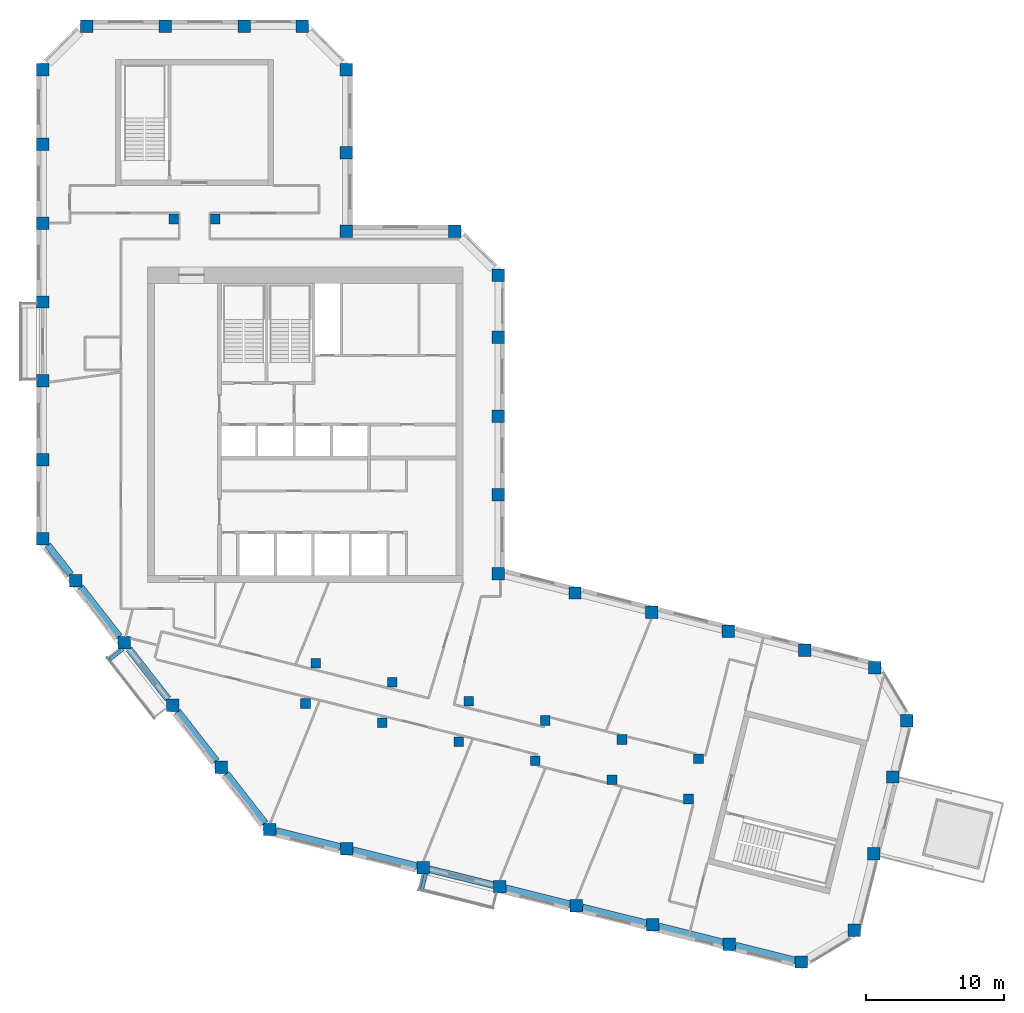
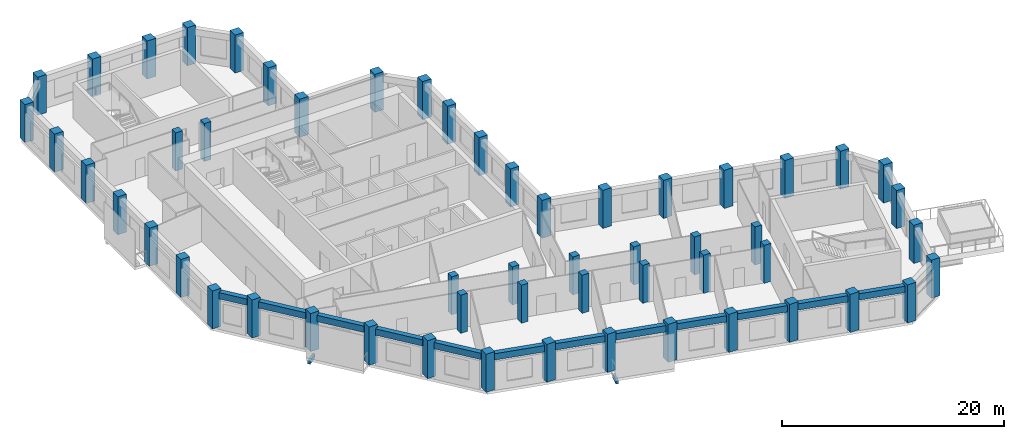
# One storey, part 1 of 13: 55 columns, 14 beams.
"""IFC4 building model written with IfcOpenShell, lengths in metres."""

from ifc_helpers import new_model, si_unit, direction, frame, origin, origin_2d, place, context, subcontext, project, spatial, rectangle, extrude, material, material_profile, profile_set, type_object, element, save


model = new_model("IFC4")

# Units and contexts
model_context = context("Model", 3, precision=1e-05, world=origin(), true_north=direction((0.0, 1.0)))
body_context = subcontext(model_context, "Body", "Model", "MODEL_VIEW")
ifc_project = project(units=[si_unit("LENGTHUNIT", "METRE"), si_unit("AREAUNIT", "SQUARE_METRE"), si_unit("VOLUMEUNIT", "CUBIC_METRE"), si_unit("PLANEANGLEUNIT", "RADIAN"), si_unit("MASSUNIT", "GRAM", prefix="KILO")], contexts=[model_context])

# Site, building, storey
site_placement = place(None, origin())
site = spatial("IfcSite", under=ifc_project, at=site_placement, CompositionType="ELEMENT")
building_placement = place(site_placement, origin())
building = spatial("IfcBuilding", under=site, at=building_placement, Name="Meshkara Civic Tower", CompositionType="ELEMENT")
storey_placement = place(building_placement, frame((0.0, 0.0, 383.39990234375)))
storey = spatial("IfcBuildingStorey", under=building, at=storey_placement, Name="L88", CompositionType="ELEMENT", Elevation=383.39990234375)

# Columns
ifc_material_1 = material(Name="Concrete C50", Category="concrete")
ifc_material_profile_1 = material_profile(ifc_material_1, rectangle(XDim=0.699951171875, YDim=0.699951171875, at=origin_2d()))
ifc_profile_set_1 = profile_set([ifc_material_profile_1], Name="Concrete C50")
column_type_1 = type_object("IfcColumnType", Name="Interior column RC 700x700 C50", PredefinedType="COLUMN", material=ifc_profile_set_1)
for number, where, z_axis, x_axis, name in (
    (1, (9.89990234375, 40.35009765625, 0.0), (0.0, 0.0, 1.0), (1.0, 0.0, 0.0), "Column SA1-04 L88"),
    (2, (12.89990234375, 40.35009765625, 0.0), (0.0, 0.0, 1.0), (1.0, 0.0, 0.0), "Column SA2-04 L88"),
    (3, (19.424072265625, 5.360107421875, 0.0), (0.0, 0.0, 1.0), (1.0, 0.0, 0.0), "Column SB1-00 L88"),
    (4, (24.9541015625, 3.98095703125, 0.0), (0.0, 0.0, 1.0), (1.0, 0.0, 0.0), "Column SB1-01 L88"),
    (5, (30.485107421875, 2.60205078125, 0.0), (0.0, 0.0, 1.0), (1.0, 0.0, 0.0), "Column SB1-02 L88"),
    (6, (36.01611328125, 1.222900390625, 0.0), (0.0, 0.0, 1.0), (1.0, 0.0, 0.0), "Column SB1-03 L88"),
    (7, (41.5458984375, -0.156005859375, 0.0), (0.0, 0.0, 1.0), (1.0, 0.0, 0.0), "Column SB1-04 L88"),
    (8, (47.076904296875, -1.534912109375, 0.0), (0.0, 0.0, 1.0), (1.0, 0.0, 0.0), "Column SB1-05 L88"),
    (9, (20.14892578125, 8.27099609375, 0.0), (0.0, 0.0, 1.0), (1.0, 0.0, 0.0), "Column SB2-00 L88"),
    (10, (25.679931640625, 6.89208984375, 0.0), (0.0, 0.0, 1.0), (1.0, 0.0, 0.0), "Column SB2-01 L88"),
    (11, (31.2109375, 5.512939453125, 0.0), (0.0, 0.0, 1.0), (1.0, 0.0, 0.0), "Column SB2-02 L88"),
    (12, (36.741943359375, 4.134033203125, 0.0), (0.0, 0.0, 1.0), (1.0, 0.0, 0.0), "Column SB2-03 L88"),
    (13, (42.27197265625, 2.7548828125, 0.0), (0.0, 0.0, 1.0), (1.0, 0.0, 0.0), "Column SB2-04 L88"),
    (14, (47.802978515625, 1.3759765625, 0.0), (0.0, 0.0, 1.0), (1.0, 0.0, 0.0), "Column SB2-05 L88"),
):
    element("IfcColumn", number, at=place(storey_placement, frame(where, z_axis=z_axis, x_axis=x_axis)), inside=storey, type_object=column_type_1, Name=name, PredefinedType="COLUMN", context=body_context, shape_type="SweptSolid", body=[
        extrude(rectangle(XDim=0.699951171875, YDim=0.699951171875, at=origin_2d()), origin(), (0.0, 0.0, 1.0), 4.2001953125),
    ])
ifc_material_2 = material(Name="Concrete C50", Category="concrete")
ifc_material_profile_2 = material_profile(ifc_material_2, rectangle(XDim=0.89990234375, YDim=0.89990234375, at=origin_2d()))
ifc_profile_set_2 = profile_set([ifc_material_profile_2], Name="Concrete C50")
column_type_2 = type_object("IfcColumnType", Name="Perimeter column RC 900x900 C50", PredefinedType="COLUMN", material=ifc_profile_set_2)
for number, where, z_axis, x_axis, name in (
    (15, (33.35009765625, 14.718994140625, 0.0), (0.0, 0.0, 1.0), (1.0, 0.0, 0.0), "Column HE00 L88"),
    (16, (33.35009765625, 20.4189453125, 0.0), (0.0, 0.0, 1.0), (1.0, 0.0, 0.0), "Column HE01 L88"),
    (17, (33.35009765625, 26.118896484375, 0.0), (0.0, 0.0, 1.0), (1.0, 0.0, 0.0), "Column HE02 L88"),
    (18, (33.35009765625, 31.819091796875, 0.0), (0.0, 0.0, 1.0), (1.0, 0.0, 0.0), "Column HE03 L88"),
    (19, (33.35009765625, 36.2939453125, 0.0), (0.0, 0.0, 1.0), (1.0, 0.0, 0.0), "Column HEE L88"),
    (20, (30.194091796875, 39.449951171875, 0.0), (0.0, 0.0, 1.0), (1.0, 0.0, 0.0), "Column HCeE L88"),
    (21, (22.35009765625, 39.449951171875, 0.0), (0.0, 0.0, 1.0), (1.0, 0.0, 0.0), "Column HN00 L88"),
    (22, (22.35009765625, 45.14990234375, 0.0), (0.0, 0.0, 1.0), (1.0, 0.0, 0.0), "Column AE01 L88"),
    (23, (22.35009765625, 51.114013671875, 0.0), (0.0, 0.0, 1.0), (1.0, 0.0, 0.0), "Column AEEP5 L88"),
    (24, (19.194091796875, 54.27001953125, 0.0), (0.0, 0.0, 1.0), (1.0, 0.0, 0.0), "Column ATiEP5 L88"),
    (25, (3.60595703125, 54.27001953125, 0.0), (0.0, 0.0, 1.0), (1.0, 0.0, 0.0), "Column AT00-P5 L88"),
    (26, (9.305908203125, 54.27001953125, 0.0), (0.0, 0.0, 1.0), (1.0, 0.0, 0.0), "Column AT01-P5 L88"),
    (27, (15.006103515625, 54.27001953125, 0.0), (0.0, 0.0, 1.0), (1.0, 0.0, 0.0), "Column AT02-P5 L88"),
    (28, (0.449951171875, 51.114013671875, 0.0), (0.0, 0.0, 1.0), (1.0, 0.0, 0.0), "Column ATo00-P5 L88"),
    (29, (0.449951171875, 17.2548828125, 0.0), (0.0, 0.0, 1.0), (1.0, 0.0, 0.0), "Column AW00 L88"),
    (30, (0.449951171875, 22.955078125, 0.0), (0.0, 0.0, 1.0), (1.0, 0.0, 0.0), "Column AW01 L88"),
    (31, (0.449951171875, 28.655029296875, 0.0), (0.0, 0.0, 1.0), (1.0, 0.0, 0.0), "Column AW02 L88"),
    (32, (0.449951171875, 34.35498046875, 0.0), (0.0, 0.0, 1.0), (1.0, 0.0, 0.0), "Column AW03 L88"),
    (33, (0.449951171875, 40.054931640625, 0.0), (0.0, 0.0, 1.0), (1.0, 0.0, 0.0), "Column AW04 L88"),
    (34, (0.449951171875, 45.7548828125, 0.0), (0.0, 0.0, 1.0), (1.0, 0.0, 0.0), "Column AW05 L88"),
    (35, (16.85107421875, -3.738037109375, 0.0), (0.0, 0.0, 1.0), (1.0, 0.0, 0.0), "Column BOW00 L88"),
    (36, (13.342041015625, 0.75390625, 0.0), (0.0, 0.0, 1.0), (1.0, 0.0, 0.0), "Column BOW01 L88"),
    (37, (9.8330078125, 5.2451171875, 0.0), (0.0, 0.0, 1.0), (1.0, 0.0, 0.0), "Column BOW02 L88"),
    (38, (6.322998046875, 9.737060546875, 0.0), (0.0, 0.0, 1.0), (1.0, 0.0, 0.0), "Column BOW03 L88"),
    (39, (2.81396484375, 14.22900390625, 0.0), (0.0, 0.0, 1.0), (1.0, 0.0, 0.0), "Column BOW04 L88"),
    (40, (22.382080078125, -5.116943359375, 0.0), (0.0, 0.0, 1.0), (1.0, 0.0, 0.0), "Column BS01 L88"),
    (41, (27.912109375, -6.49609375, 0.0), (0.0, 0.0, 1.0), (1.0, 0.0, 0.0), "Column BS02 L88"),
    (42, (33.443115234375, -7.875, 0.0), (0.0, 0.0, 1.0), (1.0, 0.0, 0.0), "Column BS03 L88"),
    (43, (38.97412109375, -9.25390625, 0.0), (0.0, 0.0, 1.0), (1.0, 0.0, 0.0), "Column BS04 L88"),
    (44, (44.50390625, -10.633056640625, 0.0), (0.0, 0.0, 1.0), (1.0, 0.0, 0.0), "Column BS05-P4 L88"),
    (45, (50.034912109375, -12.011962890625, 0.0), (0.0, 0.0, 1.0), (1.0, 0.0, 0.0), "Column BS06-P4 L88"),
    (46, (55.235107421875, -13.30810546875, 0.0), (0.0, 0.0, 1.0), (1.0, 0.0, 0.0), "Column BSEP5 L88"),
    (47, (59.06103515625, -11.009033203125, 0.0), (0.0, 0.0, 1.0), (1.0, 0.0, 0.0), "Column BToEP5 L88"),
    (48, (60.43994140625, -5.47802734375, 0.0), (0.0, 0.0, 1.0), (1.0, 0.0, 0.0), "Column BT01-P5 L88"),
    (49, (61.819091796875, 0.052001953125, 0.0), (0.0, 0.0, 1.0), (1.0, 0.0, 0.0), "Column BT02-P5 L88"),
    (50, (62.83203125, 4.114990234375, 0.0), (0.0, 0.0, 1.0), (1.0, 0.0, 0.0), "Column BTEP5 L88"),
    (51, (60.532958984375, 7.94091796875, 0.0), (0.0, 0.0, 1.0), (1.0, 0.0, 0.0), "Column BTi00-P5 L88"),
    (52, (38.881103515625, 13.340087890625, 0.0), (0.0, 0.0, 1.0), (1.0, 0.0, 0.0), "Column BN01 L88"),
    (53, (44.410888671875, 11.9609375, 0.0), (0.0, 0.0, 1.0), (1.0, 0.0, 0.0), "Column BN02 L88"),
    (54, (49.94189453125, 10.58203125, 0.0), (0.0, 0.0, 1.0), (1.0, 0.0, 0.0), "Column BN03 L88"),
    (55, (55.472900390625, 9.202880859375, 0.0), (0.0, 0.0, 1.0), (1.0, 0.0, 0.0), "Column BN04 L88"),
):
    element("IfcColumn", number, at=place(storey_placement, frame(where, z_axis=z_axis, x_axis=x_axis)), inside=storey, type_object=column_type_2, Name=name, PredefinedType="COLUMN", context=body_context, shape_type="SweptSolid", body=[
        extrude(rectangle(XDim=0.89990234375, YDim=0.89990234375, at=origin_2d()), origin(), (0.0, 0.0, 1.0), 4.2001953125),
    ])

# Beams
ifc_material_3 = material(Name="Concrete C50", Category="concrete")
ifc_material_profile_3 = material_profile(ifc_material_3, rectangle(XDim=0.25, YDim=0.39990234375, at=origin_2d()))
ifc_profile_set_3 = profile_set([ifc_material_profile_3], Name="Concrete C50")
beam_type_1 = type_object("IfcBeamType", Name="Balcony bracket beam RC 250x400 C50", PredefinedType="BEAM", material=ifc_profile_set_3)
beam_1_placement = place(storey_placement, frame((6.238037109375, 9.2900390625, -0.5), z_axis=(-0.78802130646, -0.615647968051, 0.0), x_axis=(0.615647968051, -0.78802130646, 0.0)))
element("IfcBeam", 56, at=beam_1_placement, inside=storey, type_object=beam_type_1, Name="Balcony bracket beam", PredefinedType="BEAM", context=body_context, shape_type="SweptSolid", body=[
    extrude(rectangle(XDim=0.25, YDim=0.39990234375, at=origin_2d()), origin(), (0.0, 0.0, 1.0), 1.206787109375),
])
beam_2_placement = place(storey_placement, frame((28.110107421875, -6.94091796875, -0.5), z_axis=(-0.24209211729, -0.970253269382, 0.0), x_axis=(0.970253269382, -0.24209211729, 0.0)))
element("IfcBeam", 57, at=beam_2_placement, inside=storey, type_object=beam_type_1, Name="Balcony bracket beam", PredefinedType="BEAM", context=body_context, shape_type="SweptSolid", body=[
    extrude(rectangle(XDim=0.25, YDim=0.39990234375, at=origin_2d()), origin(), (0.0, 0.0, 1.0), 1.165771484375),
])
ifc_material_4 = material(Name="Concrete C50", Category="concrete")
ifc_material_profile_4 = material_profile(ifc_material_4, rectangle(XDim=0.5, YDim=0.699951171875, at=origin_2d()))
ifc_profile_set_4 = profile_set([ifc_material_profile_4], Name="Concrete C50")
beam_type_2 = type_object("IfcBeamType", Name="Spandrel beam RC 500x700 C50", PredefinedType="BEAM", material=ifc_profile_set_4)
beam_3_placement = place(storey_placement, frame((0.798583984375, 16.808837890625, 3.550048828125), z_axis=(0.615637043197, -0.788029841468, 0.0), x_axis=(0.788029841468, 0.615637043197, 0.0)))
element("IfcBeam", 58, at=beam_3_placement, inside=storey, type_object=beam_type_2, Name="Spandrel beam AW00-BOW04", PredefinedType="BEAM", context=body_context, shape_type="SweptSolid", body=[
    extrude(rectangle(XDim=0.5, YDim=0.699951171875, at=origin_2d()), origin(), (0.0, 0.0, 1.0), 2.707763671875),
])
beam_4_placement = place(storey_placement, frame((3.162353515625, 13.782958984375, 3.550048828125), z_axis=(0.615626410665, -0.788038147865, 0.0), x_axis=(0.788038147865, 0.615626410665, 0.0)))
element("IfcBeam", 59, at=beam_4_placement, inside=storey, type_object=beam_type_2, Name="Spandrel beam BOW03-BOW04", PredefinedType="BEAM", context=body_context, shape_type="SweptSolid", body=[
    extrude(rectangle(XDim=0.5, YDim=0.699951171875, at=origin_2d()), origin(), (0.0, 0.0, 1.0), 4.568115234375),
])
beam_5_placement = place(storey_placement, frame((6.67138671875, 9.291015625, 3.550048828125), z_axis=(0.615759141311, -0.787934438829, 0.0), x_axis=(0.787934438829, 0.615759141311, 0.0)))
element("IfcBeam", 60, at=beam_5_placement, inside=storey, type_object=beam_type_2, Name="Spandrel beam BOW02-BOW03", PredefinedType="BEAM", context=body_context, shape_type="SweptSolid", body=[
    extrude(rectangle(XDim=0.5, YDim=0.699951171875, at=origin_2d()), origin(), (0.0, 0.0, 1.0), 4.568603515625),
])
beam_6_placement = place(storey_placement, frame((10.181396484375, 4.798828125, 3.550048828125), z_axis=(0.615722879711, -0.78796277539, 0.0), x_axis=(0.78796277539, 0.615722879711, 0.0)))
element("IfcBeam", 61, at=beam_6_placement, inside=storey, type_object=beam_type_2, Name="Spandrel beam BOW01-BOW02", PredefinedType="BEAM", context=body_context, shape_type="SweptSolid", body=[
    extrude(rectangle(XDim=0.5, YDim=0.699951171875, at=origin_2d()), origin(), (0.0, 0.0, 1.0), 4.56689453125),
])
beam_7_placement = place(storey_placement, frame((13.6904296875, 0.307861328125, 3.550048828125), z_axis=(0.615626410665, -0.788038147865, 0.0), x_axis=(0.788038147865, 0.615626410665, 0.0)))
element("IfcBeam", 62, at=beam_7_placement, inside=storey, type_object=beam_type_2, Name="Spandrel beam BOW00-BOW01", PredefinedType="BEAM", context=body_context, shape_type="SweptSolid", body=[
    extrude(rectangle(XDim=0.5, YDim=0.699951171875, at=origin_2d()), origin(), (0.0, 0.0, 1.0), 4.568115234375),
])
beam_8_placement = place(storey_placement, frame((17.296142578125, -3.84912109375, 3.550048828125), z_axis=(0.970301429476, -0.241899020164, 0.0), x_axis=(0.241899020164, 0.970301429476, 0.0)))
element("IfcBeam", 63, at=beam_8_placement, inside=storey, type_object=beam_type_2, Name="Spandrel beam BOW00-BS01", PredefinedType="BEAM", context=body_context, shape_type="SweptSolid", body=[
    extrude(rectangle(XDim=0.5, YDim=0.699951171875, at=origin_2d()), origin(), (0.0, 0.0, 1.0), 4.782958984375),
])
beam_9_placement = place(storey_placement, frame((22.8271484375, -5.22802734375, 3.550048828125), z_axis=(0.970286489601, -0.241958938867, 0.0), x_axis=(0.241958938867, 0.970286489601, 0.0)))
element("IfcBeam", 64, at=beam_9_placement, inside=storey, type_object=beam_type_2, Name="Spandrel beam BS01-BS02", PredefinedType="BEAM", context=body_context, shape_type="SweptSolid", body=[
    extrude(rectangle(XDim=0.5, YDim=0.699951171875, at=origin_2d()), origin(), (0.0, 0.0, 1.0), 4.78173828125),
])
for number, where, z_axis, x_axis, name in (
    (65, (28.357177734375, -6.60693359375, 3.550048828125), (0.970298442389, -0.241911001604, 0.0), (0.241911001604, 0.970298442389, 0.0), "Spandrel beam BS02-BS03"),
    (66, (33.88818359375, -7.986083984375, 3.550048828125), (0.970298442389, -0.241911001604, 0.0), (0.241911001604, 0.970298442389, 0.0), "Spandrel beam BS03-BS04"),
):
    element("IfcBeam", number, at=place(storey_placement, frame(where, z_axis=z_axis, x_axis=x_axis)), inside=storey, type_object=beam_type_2, Name=name, PredefinedType="BEAM", context=body_context, shape_type="SweptSolid", body=[
        extrude(rectangle(XDim=0.5, YDim=0.699951171875, at=origin_2d()), origin(), (0.0, 0.0, 1.0), 4.78271484375),
    ])
beam_10_placement = place(storey_placement, frame((39.419189453125, -9.364990234375, 3.550048828125), z_axis=(0.970286489601, -0.241958938867, 0.0), x_axis=(0.241958938867, 0.970286489601, 0.0)))
element("IfcBeam", 67, at=beam_10_placement, inside=storey, type_object=beam_type_2, Name="Spandrel beam BS04-BS05-P4", PredefinedType="BEAM", context=body_context, shape_type="SweptSolid", body=[
    extrude(rectangle(XDim=0.5, YDim=0.699951171875, at=origin_2d()), origin(), (0.0, 0.0, 1.0), 4.78173828125),
])
beam_11_placement = place(storey_placement, frame((44.94921875, -10.743896484375, 3.550048828125), z_axis=(0.970298442389, -0.241911001604, 0.0), x_axis=(0.241911001604, 0.970298442389, 0.0)))
element("IfcBeam", 68, at=beam_11_placement, inside=storey, type_object=beam_type_2, Name="Spandrel beam BS05-P4-BS06-P4", PredefinedType="BEAM", context=body_context, shape_type="SweptSolid", body=[
    extrude(rectangle(XDim=0.5, YDim=0.699951171875, at=origin_2d()), origin(), (0.0, 0.0, 1.0), 4.78271484375),
])
beam_12_placement = place(storey_placement, frame((50.47998046875, -12.122802734375, 3.550048828125), z_axis=(0.97031362237, -0.241850106975, 0.0), x_axis=(0.241850106975, 0.97031362237, 0.0)))
element("IfcBeam", 69, at=beam_12_placement, inside=storey, type_object=beam_type_2, Name="Spandrel beam BS06-P4-BSEP5", PredefinedType="BEAM", context=body_context, shape_type="SweptSolid", body=[
    extrude(rectangle(XDim=0.5, YDim=0.699951171875, at=origin_2d()), origin(), (0.0, 0.0, 1.0), 4.441650390625),
])

save(model, "model.ifc")
